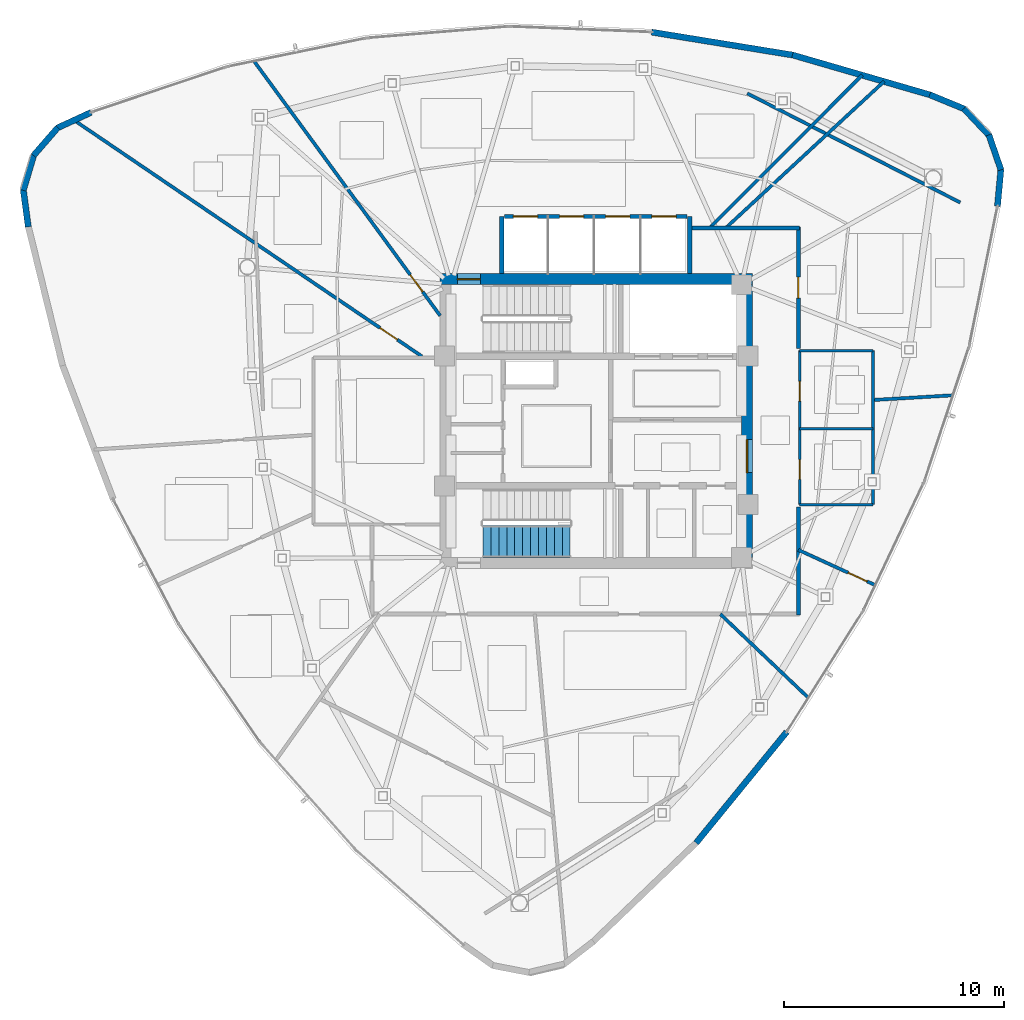
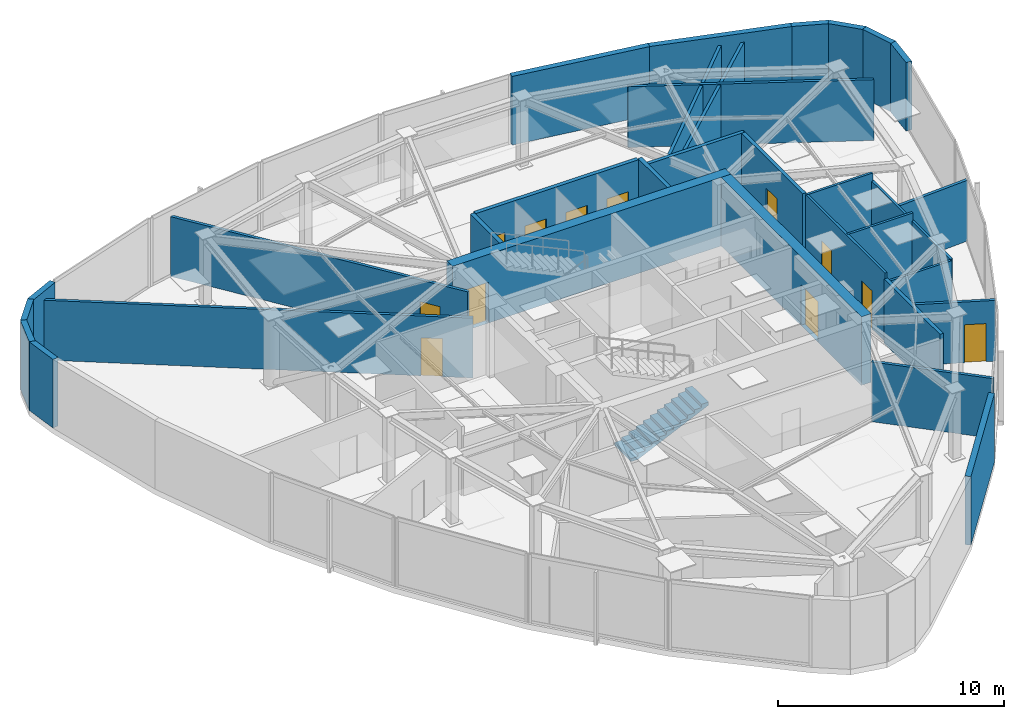
# One storey, part 9 of 13: 32 walls, 12 doors, 1 stair flight, 12 openings, 1 element without a shape of its own.
"""IFC4 building model written with IfcOpenShell, lengths in metres."""

from ifc_helpers import new_model, si_unit, direction, frame, frame_2d, origin, place, context, subcontext, project, spatial, polyline, rectangle, outline, extrude, material, layer, layer_set, type_object, element, fill, aggregate, save


model = new_model("IFC4")

# Units and contexts
model_context = context("Model", 3, precision=1e-05, world=origin(), true_north=direction((0.0, 1.0)))
body_context = subcontext(model_context, "Body", "Model", "MODEL_VIEW")
ifc_project = project(units=[si_unit("LENGTHUNIT", "METRE"), si_unit("AREAUNIT", "SQUARE_METRE"), si_unit("VOLUMEUNIT", "CUBIC_METRE"), si_unit("PLANEANGLEUNIT", "RADIAN"), si_unit("MASSUNIT", "GRAM", prefix="KILO")], contexts=[model_context])

# Site, building, storey
site_placement = place(None, origin())
site = spatial("IfcSite", under=ifc_project, at=site_placement, CompositionType="ELEMENT")
building_placement = place(site_placement, origin())
building = spatial("IfcBuilding", under=site, at=building_placement, Name="Tavelor Broadcast Tower", CompositionType="ELEMENT")
storey_placement = place(building_placement, frame((0.0, 0.0, 301.5)))
storey = spatial("IfcBuildingStorey", under=building, at=storey_placement, Name="L72", CompositionType="ELEMENT", Elevation=301.5)

# Wall, opening, door
ifc_material_1 = material(Name="Concrete C50/60", Category="concrete")
ifc_layer_1 = layer(ifc_material_1, 0.5)
ifc_layer_set_1 = layer_set([ifc_layer_1], Name="Concrete C50/60")
wall_type_1 = type_object("IfcWallType", Name="Core Shear Wall 500 mm", PredefinedType="SHEAR", material=ifc_layer_set_1)
wall_1_placement = place(storey_placement, frame((42.89990234375, 51.449951171875, 0.0), z_axis=(0.0, 0.0, 1.0), x_axis=(1.0, 0.0, 0.0)))
wall_1 = element("IfcWall", 1, at=wall_1_placement, inside=storey, type_object=wall_type_1, Name="L72 Central Core Shear Wall N", PredefinedType="SHEAR", context=body_context, shape_type="SweptSolid", body=[
    extrude(rectangle(XDim=14.2001953125, YDim=0.5, at=frame_2d((7.10009765625, 0.0))), origin(), (0.0, 0.0, 1.0), 3.699951171875),
])
opening_1_placement = place(wall_1_placement, frame((0.780029296875, 0.0, 0.0)))
opening_1 = element("IfcOpeningElement", 2, at=opening_1_placement, cuts=wall_1, Name="Opening DR11", PredefinedType="OPENING", context=body_context, shape_type="SweptSolid", body=[
    extrude(rectangle(XDim=1.050048828125, YDim=2.199951171875, at=frame_2d((0.52490234375, 1.10009765625))), frame((0.0, 0.260009765625, 0.0), z_axis=(0.0, -1.0, 0.0), x_axis=(1.0, 0.0, 0.0)), (0.0, 0.0, 1.0), 0.52001953125),
])
ifc_material_2 = material(Name="Steel S355", Category="steel")
door_type_1 = type_object("IfcDoorType", Name="Stair Core Fire Escape Door 1050x2200", OperationType="NOTDEFINED", PredefinedType="DOOR", material=ifc_material_2)
door_1_placement = place(opening_1_placement, origin())
door_1 = element("IfcDoor", 3, at=door_1_placement, inside=storey, type_object=door_type_1, Name="L72 Stair ST1 Protected Exit Door", OperationType="SINGLE_SWING_LEFT", OverallHeight=2.199951171875, OverallWidth=1.050048828125, PredefinedType="DOOR", context=body_context, shape_type="SweptSolid", body=[
    extrude(rectangle(XDim=1.050048828125, YDim=2.199951171875, at=frame_2d((0.52490234375, 1.10009765625))), frame((0.0, 0.02490234375, 0.0), z_axis=(0.0, -1.0, 0.0), x_axis=(1.0, 0.0, 0.0)), (0.0, 0.0, 1.0), 0.050048828125),
])
fill(opening_1, door_1)

wall_2_placement = place(storey_placement, frame((56.85009765625, 38.800048828125, 0.0), z_axis=(0.0, 0.0, 1.0), x_axis=(0.0, 1.0, 0.0)))
wall_2 = element("IfcWall", 4, at=wall_2_placement, inside=storey, type_object=wall_type_1, Name="L72 Central Core Shear Wall E", PredefinedType="SHEAR", context=body_context, shape_type="SweptSolid", body=[
    extrude(rectangle(XDim=12.39990234375, YDim=0.5, at=frame_2d((6.199951171875, 0.0))), origin(), (0.0, 0.0, 1.0), 3.699951171875),
])
opening_2_placement = place(wall_2_placement, frame((3.85009765625, 0.0, 0.0)))
opening_2 = element("IfcOpeningElement", 5, at=opening_2_placement, cuts=wall_2, Name="Opening DR14", PredefinedType="OPENING", context=body_context, shape_type="SweptSolid", body=[
    extrude(rectangle(XDim=1.5, YDim=2.199951171875, at=frame_2d((0.75, 1.10009765625))), frame((0.0, 0.260009765625, 0.0), z_axis=(0.0, -1.0, 0.0), x_axis=(1.0, 0.0, 0.0)), (0.0, 0.0, 1.0), 0.52001953125),
])
door_type_2 = type_object("IfcDoorType", Name="Firefighting Lobby Double Fire Door 1500x2200", OperationType="NOTDEFINED", PredefinedType="DOOR", material=ifc_material_2)
door_2_placement = place(opening_2_placement, origin())
door_2 = element("IfcDoor", 6, at=door_2_placement, inside=storey, type_object=door_type_2, Name="L72 Central Core Lobby Fire Door", OperationType="SINGLE_SWING_RIGHT", OverallHeight=2.199951171875, OverallWidth=1.5, PredefinedType="DOOR", context=body_context, shape_type="SweptSolid", body=[
    extrude(rectangle(XDim=1.5, YDim=2.199951171875, at=frame_2d((0.75, 1.10009765625))), frame((0.0, 0.02490234375, 0.0), z_axis=(0.0, -1.0, 0.0), x_axis=(1.0, 0.0, 0.0)), (0.0, 0.0, 1.0), 0.050048828125),
])
fill(opening_2, door_2)

# Wall
ifc_material_3 = material(Name="Calcium Silicate Fire Board 180 mm", Category="gypsum")
ifc_layer_2 = layer(ifc_material_3, 0.179931640625)
ifc_layer_set_2 = layer_set([ifc_layer_2], Name="Calcium Silicate Fire Board 180 mm")
wall_type_2 = type_object("IfcWallType", Name="Fire-Rated Corridor Partition Wall 180 mm", PredefinedType="PARTITIONING", material=ifc_layer_set_2)
wall_3_placement = place(storey_placement, frame((54.300048828125, 53.780029296875, 0.0), z_axis=(0.0, 0.0, 1.0), x_axis=(1.0, 0.0, 0.0)))
element("IfcWall", 7, at=wall_3_placement, inside=storey, type_object=wall_type_2, Name="L72 Corridor Compartment Wall 01", PredefinedType="PARTITIONING", context=body_context, shape_type="SweptSolid", body=[
    extrude(rectangle(XDim=4.929931640625, YDim=0.179931640625, at=frame_2d((2.46484375, 0.0))), origin(), (0.0, 0.0, 1.0), 3.699951171875),
])

# Wall, opening, door
wall_4_placement = place(storey_placement, frame((59.179931640625, 53.830078125, 0.0), z_axis=(0.0, 0.0, 1.0), x_axis=(0.0, -1.0, 0.0)))
wall_4 = element("IfcWall", 8, at=wall_4_placement, inside=storey, type_object=wall_type_2, Name="L72 Corridor Compartment Wall 02", PredefinedType="PARTITIONING", context=body_context, shape_type="SweptSolid", body=[
    extrude(rectangle(XDim=5.530029296875, YDim=0.179931640625, at=frame_2d((2.76513671875, 0.0))), origin(), (0.0, 0.0, 1.0), 3.699951171875),
])
opening_3_placement = place(wall_4_placement, frame((2.2900390625, 0.0, 0.0)))
opening_3 = element("IfcOpeningElement", 9, at=opening_3_placement, cuts=wall_4, Name="Opening DR18", PredefinedType="OPENING", context=body_context, shape_type="SweptSolid", body=[
    extrude(rectangle(XDim=0.949951171875, YDim=2.050048828125, at=frame_2d((0.47509765625, 1.02490234375))), frame((0.0, 0.10009765625, 0.0), z_axis=(0.0, -1.0, 0.0), x_axis=(1.0, 0.0, 0.0)), (0.0, 0.0, 1.0), 0.199951171875),
])
ifc_material_4 = material(Name="Timber Solid Core Hardwood", Category="wood")
door_type_3 = type_object("IfcDoorType", Name="Corridor Rated Compartment Door 950x2050", OperationType="NOTDEFINED", PredefinedType="DOOR", material=ifc_material_4)
door_3_placement = place(opening_3_placement, origin())
door_3 = element("IfcDoor", 10, at=door_3_placement, inside=storey, type_object=door_type_3, Name="L72 Standards Huddle Room Door R9", OperationType="SINGLE_SWING_RIGHT", OverallHeight=2.050048828125, OverallWidth=0.949951171875, PredefinedType="DOOR", context=body_context, shape_type="SweptSolid", body=[
    extrude(rectangle(XDim=0.949951171875, YDim=2.050048828125, at=frame_2d((0.47509765625, 1.02490234375))), frame((0.0, 0.02490234375, 0.0), z_axis=(0.0, -1.0, 0.0), x_axis=(1.0, 0.0, 0.0)), (0.0, 0.0, 1.0), 0.050048828125),
])
fill(opening_3, door_3)

# Walls
wall_5_placement = place(storey_placement, frame((59.179931640625, 41.10009765625, 0.0), z_axis=(0.0, 0.0, 1.0), x_axis=(0.0, -1.0, 0.0)))
element("IfcWall", 11, at=wall_5_placement, inside=storey, type_object=wall_type_2, Name="L72 Corridor Compartment Wall 03", PredefinedType="PARTITIONING", context=body_context, shape_type="SweptSolid", body=[
    extrude(rectangle(XDim=4.93017578125, YDim=0.179931640625, at=frame_2d((2.465087890625, 0.0))), origin(), (0.0, 0.0, 1.0), 3.47509765625),
])
ifc_material_5 = material(Name="Precast Concrete C40/50", Category="concrete")
ifc_layer_3 = layer(ifc_material_5, 0.280029296875)
ifc_layer_set_3 = layer_set([ifc_layer_3], Name="Precast Concrete C40/50")
wall_type_3 = type_object("IfcWallType", Name="Insulated Precast Terracotta Facade Wall 280 mm", PredefinedType="STANDARD", material=ifc_layer_set_3)
wall_6_placement = place(storey_placement, frame((27.02880859375, 59.031494140625, 0.0), z_axis=(0.0, 0.0, 1.0), x_axis=(-0.908140802977, -0.418664880267, 0.0)))
element("IfcWall", 12, at=wall_6_placement, inside=storey, type_object=wall_type_3, Name="L72 Rounded Corner Structural Cladding Pier 01", PredefinedType="STANDARD", context=body_context, shape_type="SweptSolid", body=[
    extrude(rectangle(XDim=1.69287109375, YDim=0.280029296875, at=frame_2d((0.846435546875, 0.0))), origin(), (0.0, 0.0, 1.0), 3.699951171875),
])
wall_7_placement = place(storey_placement, frame((25.514892578125, 58.34033203125, 0.0), z_axis=(0.0, 0.0, 1.0), x_axis=(-0.655455667168, -0.755233651512, 0.0)))
element("IfcWall", 13, at=wall_7_placement, inside=storey, type_object=wall_type_3, Name="L72 Rounded Corner Structural Cladding Pier 02", PredefinedType="STANDARD", context=body_context, shape_type="SweptSolid", body=[
    extrude(rectangle(XDim=1.680908203125, YDim=0.280029296875, at=frame_2d((0.84033203125, 0.0))), origin(), (0.0, 0.0, 1.0), 3.699951171875),
])
wall_8_placement = place(storey_placement, frame((24.42724609375, 57.096435546875, 0.0), z_axis=(0.0, 0.0, 1.0), x_axis=(-0.286495174918, -0.9580816848, 0.0)))
element("IfcWall", 14, at=wall_8_placement, inside=storey, type_object=wall_type_3, Name="L72 Rounded Corner Structural Cladding Pier 03", PredefinedType="STANDARD", context=body_context, shape_type="SweptSolid", body=[
    extrude(rectangle(XDim=1.681396484375, YDim=0.280029296875, at=frame_2d((0.8408203125, 0.0))), origin(), (0.0, 0.0, 1.0), 3.699951171875),
])
wall_9_placement = place(storey_placement, frame((23.947998046875, 55.514892578125, 0.0), z_axis=(0.0, 0.0, 1.0), x_axis=(0.132989728451, -0.991117415913, 0.0)))
element("IfcWall", 15, at=wall_9_placement, inside=storey, type_object=wall_type_3, Name="L72 Rounded Corner Structural Cladding Pier 04", PredefinedType="STANDARD", context=body_context, shape_type="SweptSolid", body=[
    extrude(rectangle(XDim=1.70361328125, YDim=0.280029296875, at=frame_2d((0.851806640625, 0.0))), origin(), (0.0, 0.0, 1.0), 3.699951171875),
])
wall_10_placement = place(storey_placement, frame((54.53564453125, 25.81787109375, 0.0), z_axis=(0.0, 0.0, 1.0), x_axis=(0.63239071401, 0.774649588416, 0.0)))
element("IfcWall", 16, at=wall_10_placement, inside=storey, type_object=wall_type_3, Name="L72 Rounded Corner Structural Cladding Pier 16", PredefinedType="STANDARD", context=body_context, shape_type="SweptSolid", body=[
    extrude(rectangle(XDim=6.516357421875, YDim=0.280029296875, at=frame_2d((3.25830078125, 0.0))), origin(), (0.0, 0.0, 1.0), 3.699951171875),
])
wall_11_placement = place(storey_placement, frame((68.2373046875, 54.76025390625, 0.0), z_axis=(0.0, 0.0, 1.0), x_axis=(0.09144605447, 0.995810031644, 0.0)))
element("IfcWall", 17, at=wall_11_placement, inside=storey, type_object=wall_type_3, Name="L72 Rounded Corner Structural Cladding Pier 21", PredefinedType="STANDARD", context=body_context, shape_type="SweptSolid", body=[
    extrude(rectangle(XDim=1.692626953125, YDim=0.280029296875, at=frame_2d((0.84619140625, 0.0))), origin(), (0.0, 0.0, 1.0), 3.699951171875),
])
wall_12_placement = place(storey_placement, frame((68.3955078125, 56.416748046875, 0.0), z_axis=(0.0, 0.0, 1.0), x_axis=(-0.326317378319, 0.94526026501, 0.0)))
element("IfcWall", 18, at=wall_12_placement, inside=storey, type_object=wall_type_3, Name="L72 Rounded Corner Structural Cladding Pier 22", PredefinedType="STANDARD", context=body_context, shape_type="SweptSolid", body=[
    extrude(rectangle(XDim=1.68115234375, YDim=0.280029296875, at=frame_2d((0.840576171875, 0.0))), origin(), (0.0, 0.0, 1.0), 3.699951171875),
])
wall_13_placement = place(storey_placement, frame((67.862060546875, 57.980712890625, 0.0), z_axis=(0.0, 0.0, 1.0), x_axis=(-0.686410306863, 0.727214473613, 0.0)))
element("IfcWall", 19, at=wall_13_placement, inside=storey, type_object=wall_type_3, Name="L72 Rounded Corner Structural Cladding Pier 23", PredefinedType="STANDARD", context=body_context, shape_type="SweptSolid", body=[
    extrude(rectangle(XDim=1.681396484375, YDim=0.280029296875, at=frame_2d((0.8408203125, 0.0))), origin(), (0.0, 0.0, 1.0), 3.699951171875),
])
wall_14_placement = place(storey_placement, frame((66.732421875, 59.186767578125, 0.0), z_axis=(0.0, 0.0, 1.0), x_axis=(-0.924876784957, 0.380266922893, 0.0)))
element("IfcWall", 20, at=wall_14_placement, inside=storey, type_object=wall_type_3, Name="L72 Rounded Corner Structural Cladding Pier 24", PredefinedType="STANDARD", context=body_context, shape_type="SweptSolid", body=[
    extrude(rectangle(XDim=1.703857421875, YDim=0.280029296875, at=frame_2d((0.85205078125, 0.0))), origin(), (0.0, 0.0, 1.0), 3.699951171875),
])
wall_15_placement = place(storey_placement, frame((65.184814453125, 59.82470703125, 0.0), z_axis=(0.0, 0.0, 1.0), x_axis=(-0.960414031273, 0.278576539814, 0.0)))
element("IfcWall", 21, at=wall_15_placement, inside=storey, type_object=wall_type_3, Name="L72 Rounded Corner Structural Cladding Pier 25", PredefinedType="STANDARD", context=body_context, shape_type="SweptSolid", body=[
    extrude(rectangle(XDim=6.5283203125, YDim=0.280029296875, at=frame_2d((3.26416015625, 0.0))), origin(), (0.0, 0.0, 1.0), 3.699951171875),
])
wall_16_placement = place(storey_placement, frame((58.9443359375, 61.63671875, 0.0), z_axis=(0.0, 0.0, 1.0), x_axis=(-0.987064965952, 0.160320781526, 0.0)))
element("IfcWall", 22, at=wall_16_placement, inside=storey, type_object=wall_type_3, Name="L72 Rounded Corner Structural Cladding Pier 26", PredefinedType="STANDARD", context=body_context, shape_type="SweptSolid", body=[
    extrude(rectangle(XDim=6.51611328125, YDim=0.280029296875, at=frame_2d((3.258056640625, 0.0))), origin(), (0.0, 0.0, 1.0), 3.699951171875),
])
ifc_material_6 = material(Name="Gypsum Acoustic Plasterboard 150 mm", Category="gypsum")
ifc_layer_4 = layer(ifc_material_6, 0.14990234375)
ifc_layer_set_4 = layer_set([ifc_layer_4], Name="Gypsum Acoustic Plasterboard 150 mm")
wall_type_4 = type_object("IfcWallType", Name="Interior Acoustic Partition Wall 150 mm", PredefinedType="PARTITIONING", material=ifc_layer_set_4)
wall_17_placement = place(storey_placement, frame((66.542724609375, 54.934326171875, 0.0), z_axis=(0.0, 0.0, 1.0), x_axis=(-0.889966951661, 0.456025026673, 0.0)))
element("IfcWall", 23, at=wall_17_placement, inside=storey, type_object=wall_type_4, Name="L72 Corner Tube Brace Furring Wall 3", PredefinedType="PARTITIONING", context=body_context, shape_type="SweptSolid", body=[
    extrude(rectangle(XDim=10.878662109375, YDim=0.14990234375, at=frame_2d((5.439453125, 0.0))), origin(), (0.0, 0.0, 1.0), 3.27490234375),
])
wall_18_placement = place(storey_placement, frame((55.6376953125, 36.219970703125, 0.0), z_axis=(0.0, 0.0, 1.0), x_axis=(0.724832899178, -0.68892471887, 0.0)))
element("IfcWall", 24, at=wall_18_placement, inside=storey, type_object=wall_type_4, Name="L72 Radial Compartment Wall 04", PredefinedType="PARTITIONING", context=body_context, shape_type="SweptSolid", body=[
    extrude(rectangle(XDim=5.527587890625, YDim=0.14990234375, at=frame_2d((2.763671875, 0.0))), origin(), (0.0, 0.0, 1.0), 3.22509765625),
])

# Wall, opening, door
wall_19_placement = place(storey_placement, frame((59.179931640625, 39.142822265625, 0.0), z_axis=(0.0, 0.0, 1.0), x_axis=(0.909080781118, -0.41661989079, 0.0)))
wall_19 = element("IfcWall", 25, at=wall_19_placement, inside=storey, type_object=wall_type_4, Name="L72 Radial Compartment Wall 05", PredefinedType="PARTITIONING", context=body_context, shape_type="SweptSolid", body=[
    extrude(rectangle(XDim=3.863037109375, YDim=0.14990234375, at=frame_2d((1.931640625, 0.0))), origin(), (0.0, 0.0, 1.0), 3.27490234375),
])
opening_4_placement = place(wall_19_placement, frame((2.492919921875, 0.0, 0.0)))
opening_4 = element("IfcOpeningElement", 26, at=opening_4_placement, cuts=wall_19, Name="Opening DR18", PredefinedType="OPENING", context=body_context, shape_type="SweptSolid", body=[
    extrude(rectangle(XDim=0.949951171875, YDim=2.050048828125, at=frame_2d((0.47509765625, 1.02490234375))), frame((0.0, 0.0849609375, 0.0), z_axis=(0.0, -1.0, 0.0), x_axis=(1.0, 0.0, 0.0)), (0.0, 0.0, 1.0), 0.169921875),
])
door_4_placement = place(opening_4_placement, origin())
door_4 = element("IfcDoor", 27, at=door_4_placement, inside=storey, type_object=door_type_3, Name="L72 Suite Connecting Door 10", OperationType="SINGLE_SWING_LEFT", OverallHeight=2.050048828125, OverallWidth=0.949951171875, PredefinedType="DOOR", context=body_context, shape_type="SweptSolid", body=[
    extrude(rectangle(XDim=0.949951171875, YDim=2.050048828125, at=frame_2d((0.47509765625, 1.02490234375))), frame((0.0, 0.02490234375, 0.0), z_axis=(0.0, -1.0, 0.0), x_axis=(1.0, 0.0, 0.0)), (0.0, 0.0, 1.0), 0.050048828125),
])
fill(opening_4, door_4)

# Walls
wall_20_placement = place(storey_placement, frame((62.64990234375, 45.959228515625, 0.0), z_axis=(0.0, 0.0, 1.0), x_axis=(0.998261173662, 0.058945985104, 0.0)))
element("IfcWall", 28, at=wall_20_placement, inside=storey, type_object=wall_type_4, Name="L72 Radial Compartment Wall 06", PredefinedType="PARTITIONING", context=body_context, shape_type="SweptSolid", body=[
    extrude(rectangle(XDim=3.578369140625, YDim=0.14990234375, at=frame_2d((1.7890625, 0.0))), origin(), (0.0, 0.0, 1.0), 3.27490234375),
])
wall_21_placement = place(storey_placement, frame((55.88671875, 53.780029296875, 0.0), z_axis=(0.0, 0.0, 1.0), x_axis=(0.733915503747, 0.679240777162, 0.0)))
element("IfcWall", 29, at=wall_21_placement, inside=storey, type_object=wall_type_4, Name="L72 Radial Compartment Wall 07", PredefinedType="PARTITIONING", context=body_context, shape_type="SweptSolid", body=[
    extrude(rectangle(XDim=9.810302734375, YDim=0.14990234375, at=frame_2d((4.9052734375, 0.0))), origin(), (0.0, 0.0, 1.0), 3.22509765625),
])
wall_22_placement = place(storey_placement, frame((55.156005859375, 53.780029296875, 0.0), z_axis=(0.0, 0.0, 1.0), x_axis=(0.706136456049, 0.708075776622, 0.0)))
element("IfcWall", 30, at=wall_22_placement, inside=storey, type_object=wall_type_4, Name="L72 Radial Compartment Wall 08", PredefinedType="PARTITIONING", context=body_context, shape_type="SweptSolid", body=[
    extrude(rectangle(XDim=9.8193359375, YDim=0.14990234375, at=frame_2d((4.90966796875, 0.0))), origin(), (0.0, 0.0, 1.0), 3.22509765625),
])

# Wall, opening, door
wall_23_placement = place(storey_placement, frame((42.89990234375, 49.787109375, 0.0), z_axis=(0.0, 0.0, 1.0), x_axis=(-0.590195794591, 0.807260134063, 0.0)))
wall_23 = element("IfcWall", 31, at=wall_23_placement, inside=storey, type_object=wall_type_4, Name="L72 Radial Compartment Wall 09", PredefinedType="PARTITIONING", context=body_context, shape_type="SweptSolid", body=[
    extrude(rectangle(XDim=14.344970703125, YDim=0.14990234375, at=frame_2d((7.17236328125, 0.0))), origin(), (0.0, 0.0, 1.0), 3.22509765625),
])
opening_5_placement = place(wall_23_placement, frame((1.35009765625, 0.0, 0.0)))
opening_5 = element("IfcOpeningElement", 32, at=opening_5_placement, cuts=wall_23, Name="Opening DR18", PredefinedType="OPENING", context=body_context, shape_type="SweptSolid", body=[
    extrude(rectangle(XDim=0.949951171875, YDim=2.050048828125, at=frame_2d((0.47509765625, 1.02490234375))), frame((0.0, 0.0849609375, 0.0), z_axis=(0.0, -1.0, 0.0), x_axis=(1.0, 0.0, 0.0)), (0.0, 0.0, 1.0), 0.169921875),
])
door_5_placement = place(opening_5_placement, origin())
door_5 = element("IfcDoor", 33, at=door_5_placement, inside=storey, type_object=door_type_3, Name="L72 Suite Connecting Door 8", OperationType="SINGLE_SWING_RIGHT", OverallHeight=2.050048828125, OverallWidth=0.949951171875, PredefinedType="DOOR", context=body_context, shape_type="SweptSolid", body=[
    extrude(rectangle(XDim=0.949951171875, YDim=2.050048828125, at=frame_2d((0.47509765625, 1.02490234375))), frame((0.0, 0.02490234375, 0.0), z_axis=(0.0, -1.0, 0.0), x_axis=(1.0, 0.0, 0.0)), (0.0, 0.0, 1.0), 0.050048828125),
])
fill(opening_5, door_5)

wall_24_placement = place(storey_placement, frame((42.069580078125, 47.93994140625, 0.0), z_axis=(0.0, 0.0, 1.0), x_axis=(-0.827338479003, 0.561703695163, 0.0)))
wall_24 = element("IfcWall", 34, at=wall_24_placement, inside=storey, type_object=wall_type_4, Name="L72 Radial Compartment Wall 10", PredefinedType="PARTITIONING", context=body_context, shape_type="SweptSolid", body=[
    extrude(rectangle(XDim=19.124267578125, YDim=0.14990234375, at=frame_2d((9.56201171875, 0.0))), origin(), (0.0, 0.0, 1.0), 3.22509765625),
])
opening_6_placement = place(wall_24_placement, frame((1.35009765625, 0.0, 0.0)))
opening_6 = element("IfcOpeningElement", 35, at=opening_6_placement, cuts=wall_24, Name="Opening DR18", PredefinedType="OPENING", context=body_context, shape_type="SweptSolid", body=[
    extrude(rectangle(XDim=0.949951171875, YDim=2.050048828125, at=frame_2d((0.47509765625, 1.02490234375))), frame((0.0, 0.0849609375, 0.0), z_axis=(0.0, -1.0, 0.0), x_axis=(1.0, 0.0, 0.0)), (0.0, 0.0, 1.0), 0.169921875),
])
door_6_placement = place(opening_6_placement, origin())
door_6 = element("IfcDoor", 36, at=door_6_placement, inside=storey, type_object=door_type_3, Name="L72 Suite Connecting Door 6", OperationType="SINGLE_SWING_LEFT", OverallHeight=2.050048828125, OverallWidth=0.949951171875, PredefinedType="DOOR", context=body_context, shape_type="SweptSolid", body=[
    extrude(rectangle(XDim=0.949951171875, YDim=2.050048828125, at=frame_2d((0.47509765625, 1.02490234375))), frame((0.0, 0.02490234375, 0.0), z_axis=(0.0, -1.0, 0.0), x_axis=(1.0, 0.0, 0.0)), (0.0, 0.0, 1.0), 0.050048828125),
])
fill(opening_6, door_6)

# Wall, openings, doors
ifc_material_7 = material(Name="Concrete Blockwork 200 mm", Category="masonry")
ifc_layer_5 = layer(ifc_material_7, 0.199951171875)
ifc_layer_set_5 = layer_set([ifc_layer_5], Name="Concrete Blockwork 200 mm")
wall_type_5 = type_object("IfcWallType", Name="Lift Hoistway Rated Front Wall 200 mm", PredefinedType="PARTITIONING", material=ifc_layer_set_5)
wall_25_placement = place(storey_placement, frame((45.820068359375, 54.300048828125, 0.0), z_axis=(0.0, 0.0, 1.0), x_axis=(1.0, 0.0, 0.0)))
wall_25 = element("IfcWall", 37, at=wall_25_placement, inside=storey, type_object=wall_type_5, Name="L72 High-Rise Lift Hoistway Front Wall", PredefinedType="PARTITIONING", context=body_context, shape_type="SweptSolid", body=[
    extrude(rectangle(XDim=8.309814453125, YDim=0.199951171875, at=frame_2d((4.15478515625, 0.0))), origin(), (0.0, 0.0, 1.0), 3.699951171875),
])
opening_7_placement = place(wall_25_placement, frame((0.405029296875, 0.0, 0.0)))
opening_7 = element("IfcOpeningElement", 38, at=opening_7_placement, cuts=wall_25, Name="Opening LD01", PredefinedType="OPENING", context=body_context, shape_type="SweptSolid", body=[
    extrude(rectangle(XDim=1.10009765625, YDim=2.14990234375, at=frame_2d((0.550048828125, 1.074951171875))), frame((0.0, 0.10986328125, 0.0), z_axis=(0.0, -1.0, 0.0), x_axis=(1.0, 0.0, 0.0)), (0.0, 0.0, 1.0), 0.219970703125),
])
opening_8_placement = place(wall_25_placement, frame((2.5048828125, 0.0, 0.0)))
opening_8 = element("IfcOpeningElement", 39, at=opening_8_placement, cuts=wall_25, Name="Opening LD01", PredefinedType="OPENING", context=body_context, shape_type="SweptSolid", body=[
    extrude(rectangle(XDim=1.10009765625, YDim=2.14990234375, at=frame_2d((0.550048828125, 1.074951171875))), frame((0.0, 0.10986328125, 0.0), z_axis=(0.0, -1.0, 0.0), x_axis=(1.0, 0.0, 0.0)), (0.0, 0.0, 1.0), 0.219970703125),
])
opening_9_placement = place(wall_25_placement, frame((4.60498046875, 0.0, 0.0)))
opening_9 = element("IfcOpeningElement", 40, at=opening_9_placement, cuts=wall_25, Name="Opening LD01", PredefinedType="OPENING", context=body_context, shape_type="SweptSolid", body=[
    extrude(rectangle(XDim=1.10009765625, YDim=2.14990234375, at=frame_2d((0.550048828125, 1.074951171875))), frame((0.0, 0.10986328125, 0.0), z_axis=(0.0, -1.0, 0.0), x_axis=(1.0, 0.0, 0.0)), (0.0, 0.0, 1.0), 0.219970703125),
])
opening_10_placement = place(wall_25_placement, frame((6.705078125, 0.0, 0.0)))
opening_10 = element("IfcOpeningElement", 41, at=opening_10_placement, cuts=wall_25, Name="Opening LD01", PredefinedType="OPENING", context=body_context, shape_type="SweptSolid", body=[
    extrude(rectangle(XDim=1.10009765625, YDim=2.14990234375, at=frame_2d((0.550048828125, 1.074951171875))), frame((0.0, 0.10986328125, 0.0), z_axis=(0.0, -1.0, 0.0), x_axis=(1.0, 0.0, 0.0)), (0.0, 0.0, 1.0), 0.219970703125),
])
ifc_material_8 = material(Name="Brushed Stainless Steel", Category="steel")
door_type_4 = type_object("IfcDoorType", Name="Passenger Lift Sliding Landing Door 1100x2150", OperationType="NOTDEFINED", PredefinedType="DOOR", material=ifc_material_8)
door_7_placement = place(opening_7_placement, origin())
door_7 = element("IfcDoor", 42, at=door_7_placement, inside=storey, type_object=door_type_4, Name="L72 Lift PLH1 Sliding Landing Door", OperationType="SLIDING_TO_LEFT", OverallHeight=2.14990234375, OverallWidth=1.10009765625, PredefinedType="DOOR", context=body_context, shape_type="SweptSolid", body=[
    extrude(rectangle(XDim=1.10009765625, YDim=2.14990234375, at=frame_2d((0.550048828125, 1.074951171875))), frame((0.0, 0.02490234375, 0.0), z_axis=(0.0, -1.0, 0.0), x_axis=(1.0, 0.0, 0.0)), (0.0, 0.0, 1.0), 0.050048828125),
])
fill(opening_7, door_7)
door_8_placement = place(opening_8_placement, origin())
door_8 = element("IfcDoor", 43, at=door_8_placement, inside=storey, type_object=door_type_4, Name="L72 Lift PLH2 Sliding Landing Door", OperationType="SLIDING_TO_RIGHT", OverallHeight=2.14990234375, OverallWidth=1.10009765625, PredefinedType="DOOR", context=body_context, shape_type="SweptSolid", body=[
    extrude(rectangle(XDim=1.10009765625, YDim=2.14990234375, at=frame_2d((0.550048828125, 1.074951171875))), frame((0.0, 0.02490234375, 0.0), z_axis=(0.0, -1.0, 0.0), x_axis=(1.0, 0.0, 0.0)), (0.0, 0.0, 1.0), 0.050048828125),
])
fill(opening_8, door_8)
door_9_placement = place(opening_9_placement, origin())
door_9 = element("IfcDoor", 44, at=door_9_placement, inside=storey, type_object=door_type_4, Name="L72 Lift PLH3 Sliding Landing Door", OperationType="SLIDING_TO_LEFT", OverallHeight=2.14990234375, OverallWidth=1.10009765625, PredefinedType="DOOR", context=body_context, shape_type="SweptSolid", body=[
    extrude(rectangle(XDim=1.10009765625, YDim=2.14990234375, at=frame_2d((0.550048828125, 1.074951171875))), frame((0.0, 0.02490234375, 0.0), z_axis=(0.0, -1.0, 0.0), x_axis=(1.0, 0.0, 0.0)), (0.0, 0.0, 1.0), 0.050048828125),
])
fill(opening_9, door_9)
door_10_placement = place(opening_10_placement, origin())
door_10 = element("IfcDoor", 45, at=door_10_placement, inside=storey, type_object=door_type_4, Name="L72 Lift PLH4 Sliding Landing Door", OperationType="SLIDING_TO_RIGHT", OverallHeight=2.14990234375, OverallWidth=1.10009765625, PredefinedType="DOOR", context=body_context, shape_type="SweptSolid", body=[
    extrude(rectangle(XDim=1.10009765625, YDim=2.14990234375, at=frame_2d((0.550048828125, 1.074951171875))), frame((0.0, 0.02490234375, 0.0), z_axis=(0.0, -1.0, 0.0), x_axis=(1.0, 0.0, 0.0)), (0.0, 0.0, 1.0), 0.050048828125),
])
fill(opening_10, door_10)

# Walls
ifc_layer_6 = layer(ifc_material_7, 0.199951171875)
ifc_layer_set_6 = layer_set([ifc_layer_6], Name="Concrete Blockwork 200 mm")
wall_type_6 = type_object("IfcWallType", Name="Lift and Riser Shaft Enclosure Wall 200 mm", PredefinedType="PARTITIONING", material=ifc_layer_set_6)
for number, where, z_axis, x_axis, name in (
    (46, (45.699951171875, 51.699951171875, 0.0), (0.0, 0.0, 1.0), (0.0, 1.0, 0.0), "L72 High-Rise Lift Shaft West Wall"),
    (47, (54.25, 51.699951171875, 0.0), (0.0, 0.0, 1.0), (0.0, 1.0, 0.0), "L72 High-Rise Lift Shaft East Wall"),
):
    element("IfcWall", number, at=place(storey_placement, frame(where, z_axis=z_axis, x_axis=x_axis)), inside=storey, type_object=wall_type_6, Name=name, PredefinedType="PARTITIONING", context=body_context, shape_type="SweptSolid", body=[
        extrude(rectangle(XDim=2.60009765625, YDim=0.199951171875, at=frame_2d((1.300048828125, 0.0))), origin(), (0.0, 0.0, 1.0), 3.699951171875),
    ])

# Wall, openings, doors
ifc_material_9 = material(Name="Moisture-Resistant Plasterboard 120 mm", Category="gypsum")
ifc_layer_7 = layer(ifc_material_9, 0.1201171875)
ifc_layer_set_7 = layer_set([ifc_layer_7], Name="Moisture-Resistant Plasterboard 120 mm")
wall_type_7 = type_object("IfcWallType", Name="Moisture-Resistant Wet-Room Partition 120 mm", PredefinedType="PARTITIONING", material=ifc_layer_set_7)
wall_26_placement = place(storey_placement, frame((59.239990234375, 41.199951171875, 0.0), z_axis=(0.0, 0.0, 1.0), x_axis=(0.0, 1.0, 0.0)))
wall_26 = element("IfcWall", 48, at=wall_26_placement, inside=storey, type_object=wall_type_7, Name="L72 Floor Washrooms West Wall", PredefinedType="PARTITIONING", context=body_context, shape_type="SweptSolid", body=[
    extrude(rectangle(XDim=7.0, YDim=0.1201171875, at=frame_2d((3.5, 0.0))), origin(), (0.0, 0.0, 1.0), 3.699951171875),
])
opening_11_placement = place(wall_26_placement, frame((1.14990234375, 0.0, 0.0)))
opening_11 = element("IfcOpeningElement", 49, at=opening_11_placement, cuts=wall_26, Name="Opening DR32", PredefinedType="OPENING", context=body_context, shape_type="SweptSolid", body=[
    extrude(rectangle(XDim=0.89990234375, YDim=2.050048828125, at=frame_2d((0.449951171875, 1.02490234375))), frame((0.0, 0.070068359375, 0.0), z_axis=(0.0, -1.0, 0.0), x_axis=(1.0, 0.0, 0.0)), (0.0, 0.0, 1.0), 0.14013671875),
])
opening_12_placement = place(wall_26_placement, frame((4.699951171875, 0.0, 0.0)))
opening_12 = element("IfcOpeningElement", 50, at=opening_12_placement, cuts=wall_26, Name="Opening DR32", PredefinedType="OPENING", context=body_context, shape_type="SweptSolid", body=[
    extrude(rectangle(XDim=0.89990234375, YDim=2.050048828125, at=frame_2d((0.449951171875, 1.02490234375))), frame((0.0, 0.070068359375, 0.0), z_axis=(0.0, -1.0, 0.0), x_axis=(1.0, 0.0, 0.0)), (0.0, 0.0, 1.0), 0.14013671875),
])
door_type_5 = type_object("IfcDoorType", Name="Accessible Washroom Door 900x2050", OperationType="NOTDEFINED", PredefinedType="DOOR", material=ifc_material_4)
door_11_placement = place(opening_11_placement, origin())
door_11 = element("IfcDoor", 51, at=door_11_placement, inside=storey, type_object=door_type_5, Name="L72 Accessible WC Door", OperationType="SINGLE_SWING_LEFT", OverallHeight=2.050048828125, OverallWidth=0.89990234375, PredefinedType="DOOR", context=body_context, shape_type="SweptSolid", body=[
    extrude(rectangle(XDim=0.89990234375, YDim=2.050048828125, at=frame_2d((0.449951171875, 1.02490234375))), frame((0.0, 0.02490234375, 0.0), z_axis=(0.0, -1.0, 0.0), x_axis=(1.0, 0.0, 0.0)), (0.0, 0.0, 1.0), 0.050048828125),
])
fill(opening_11, door_11)
door_12_placement = place(opening_12_placement, origin())
door_12 = element("IfcDoor", 52, at=door_12_placement, inside=storey, type_object=door_type_5, Name="L72 Staff Washroom WC Door", OperationType="SINGLE_SWING_RIGHT", OverallHeight=2.050048828125, OverallWidth=0.89990234375, PredefinedType="DOOR", context=body_context, shape_type="SweptSolid", body=[
    extrude(rectangle(XDim=0.89990234375, YDim=2.050048828125, at=frame_2d((0.449951171875, 1.02490234375))), frame((0.0, 0.02490234375, 0.0), z_axis=(0.0, -1.0, 0.0), x_axis=(1.0, 0.0, 0.0)), (0.0, 0.0, 1.0), 0.050048828125),
])
fill(opening_12, door_12)

# Walls
wall_27_placement = place(storey_placement, frame((59.239990234375, 41.199951171875, 0.0), z_axis=(0.0, 0.0, 1.0), x_axis=(1.0, 0.0, 0.0)))
element("IfcWall", 53, at=wall_27_placement, inside=storey, type_object=wall_type_7, Name="L72 Floor Washrooms South Wall", PredefinedType="PARTITIONING", context=body_context, shape_type="SweptSolid", body=[
    extrude(rectangle(XDim=3.340087890625, YDim=0.1201171875, at=frame_2d((1.669921875, 0.0))), origin(), (0.0, 0.0, 1.0), 3.22509765625),
])
for number, where, z_axis, x_axis, name in (
    (54, (59.239990234375, 44.64990234375, 0.0), (0.0, 0.0, 1.0), (1.0, 0.0, 0.0), "L72 Floor Washrooms Divider Wall"),
    (55, (59.239990234375, 48.199951171875, 0.0), (0.0, 0.0, 1.0), (1.0, 0.0, 0.0), "L72 Floor Washrooms North Wall"),
):
    element("IfcWall", number, at=place(storey_placement, frame(where, z_axis=z_axis, x_axis=x_axis)), inside=storey, type_object=wall_type_7, Name=name, PredefinedType="PARTITIONING", context=body_context, shape_type="SweptSolid", body=[
        extrude(rectangle(XDim=3.340087890625, YDim=0.1201171875, at=frame_2d((1.669921875, 0.0))), origin(), (0.0, 0.0, 1.0), 3.699951171875),
    ])
wall_28_placement = place(storey_placement, frame((62.580078125, 41.199951171875, 0.0), z_axis=(0.0, 0.0, 1.0), x_axis=(0.0, 1.0, 0.0)))
element("IfcWall", 56, at=wall_28_placement, inside=storey, type_object=wall_type_7, Name="L72 Floor Washrooms East Wall", PredefinedType="PARTITIONING", context=body_context, shape_type="SweptSolid", body=[
    extrude(rectangle(XDim=7.0, YDim=0.1201171875, at=frame_2d((3.5, 0.0))), origin(), (0.0, 0.0, 1.0), 3.27490234375),
])

# Stair, stair flight
ifc_material_10 = material(Name="Concrete C40/50", Category="concrete")
stair_type = type_object("IfcStairType", Name="Reinforced Concrete Protected Dogleg Stair 1450 mm", PredefinedType="HALF_TURN_STAIR", material=ifc_material_10)
stair_placement = place(storey_placement, origin())
stair = element("IfcStair", 57, at=stair_placement, inside=storey, type_object=stair_type, Name="L72 Protected Core Exit Stair ST2", PredefinedType="HALF_TURN_STAIR")
stair_flight_type = type_object("IfcStairFlightType", Name="Reinforced Concrete Stair Flight 1450 mm", PredefinedType="STRAIGHT", material=ifc_material_10)
stair_flight_placement = place(storey_placement, frame((44.85009765625, 39.52490234375, 0.0), z_axis=(0.0, 0.0, 1.0), x_axis=(1.0, 0.0, 0.0)))
stair_flight = element("IfcStairFlight", 58, at=stair_flight_placement, type_object=stair_flight_type, Name="ST2 flight 1", NumberOfRisers=12, NumberOfTreads=11, PredefinedType="STRAIGHT", RiserHeight=0.166666667, TreadLength=0.36, context=body_context, shape_type="SweptSolid", body=[
    extrude(outline(polyline([(0.0, 0.0), (0.0, 0.166748046875), (0.360107421875, 0.166748046875), (0.360107421875, 0.333251953125), (0.719970703125, 0.333251953125), (0.719970703125, 0.5), (1.080078125, 0.5), (1.080078125, 0.666748046875), (1.43994140625, 0.666748046875), (1.43994140625, 0.833251953125), (1.800048828125, 0.833251953125), (1.800048828125, 1.0), (2.159912109375, 1.0), (2.159912109375, 1.166748046875), (2.52001953125, 1.166748046875), (2.52001953125, 1.333251953125), (2.8798828125, 1.333251953125), (2.8798828125, 1.5), (3.239990234375, 1.5), (3.239990234375, 1.666748046875), (3.60009765625, 1.666748046875), (3.60009765625, 1.833251953125), (3.9599609375, 1.833251953125), (3.9599609375, 2.0), (3.9599609375, 1.668212890625), (0.356689453125, 0.0), (0.0, 0.0)])), frame((0.0, 0.72509765625, 0.0), z_axis=(0.0, -1.0, 0.0), x_axis=(1.0, 0.0, 0.0)), (0.0, 0.0, 1.0), 1.449951171875),
])
aggregate(stair, [stair_flight])

save(model, "model.ifc")
